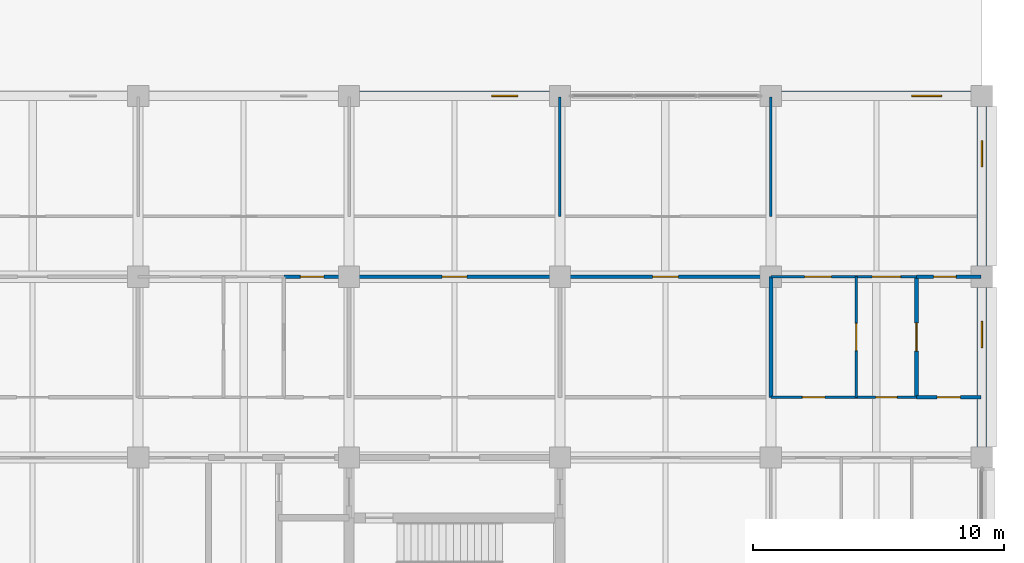
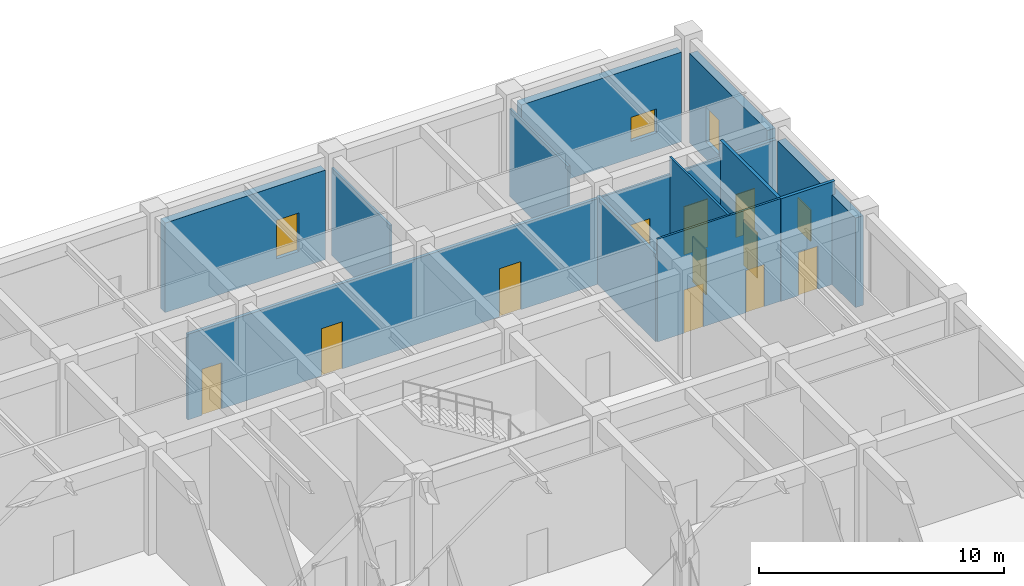
# One storey, part 59 of 73: 14 walls, 11 doors, 4 windows, 15 openings.
"""IFC4 building model written with IfcOpenShell, lengths in metres."""

from ifc_helpers import new_model, si_unit, direction, frame, frame_2d, origin, place, context, subcontext, project, spatial, rectangle, extrude, material, layer, layer_set, type_object, element, fill, save


model = new_model("IFC4")

# Units and contexts
model_context = context("Model", 3, precision=1e-05, world=origin(), true_north=direction((0.0, 1.0)))
body_context = subcontext(model_context, "Body", "Model", "MODEL_VIEW")
ifc_project = project(units=[si_unit("LENGTHUNIT", "METRE"), si_unit("AREAUNIT", "SQUARE_METRE"), si_unit("VOLUMEUNIT", "CUBIC_METRE"), si_unit("PLANEANGLEUNIT", "RADIAN"), si_unit("MASSUNIT", "GRAM", prefix="KILO")], contexts=[model_context])

# Site, building, storey
site_placement = place(None, origin())
site = spatial("IfcSite", under=ifc_project, at=site_placement, CompositionType="ELEMENT")
building_placement = place(site_placement, origin())
building = spatial("IfcBuilding", under=site, at=building_placement, Name="Chengyuan Square Courthouse", CompositionType="ELEMENT")
storey_placement = place(building_placement, origin())
storey = spatial("IfcBuildingStorey", under=building, at=storey_placement, Name="L01", CompositionType="ELEMENT", Elevation=0.0)

# Wall, opening, window
ifc_material_1 = material(Name="Concrete C40", Category="concrete")
ifc_layer_1 = layer(ifc_material_1, 0.3798828125)
ifc_layer_set_1 = layer_set([ifc_layer_1], Name="Concrete C40")
wall_type_1 = type_object("IfcWallType", Name="WL-EW1", PredefinedType="STANDARD", material=ifc_layer_set_1)
wall_1_placement = place(storey_placement, frame((143.219970703125, 108.0, 0.0), z_axis=(0.0, 0.0, 1.0), x_axis=(1.0, 0.0, 0.0)))
wall_1 = element("IfcWall", 1, at=wall_1_placement, inside=storey, type_object=wall_type_1, Name="Exterior Wall WL-L01-E189", PredefinedType="STANDARD", context=body_context, shape_type="SweptSolid", body=[
    extrude(rectangle(XDim=7.56005859375, YDim=0.3798828125, at=frame_2d((3.780029296875, 0.0))), origin(), (0.0, 0.0, 1.0), 4.469970703125),
])
opening_1_placement = place(wall_1_placement, frame((5.2548828125, 0.0, 0.85009765625)))
opening_1 = element("IfcOpeningElement", 2, at=opening_1_placement, cuts=wall_1, Name="Opening WN-010", PredefinedType="OPENING", context=body_context, shape_type="SweptSolid", body=[
    extrude(rectangle(XDim=1.050048828125, YDim=1.919921875, at=frame_2d((0.52490234375, 0.9599609375))), frame((0.0, 0.201904296875, 0.0), z_axis=(0.0, -1.0, 0.0), x_axis=(1.0, 0.0, 0.0)), (0.0, 0.0, 1.0), 0.40380859375),
])
ifc_material_2 = material(Name="Thermally Broken Aluminium Triple Low-E Window", Category="aluminium")
window_type_1 = type_object("IfcWindowType", Name="WT-11", PartitioningType="SINGLE_PANEL", PredefinedType="WINDOW", material=ifc_material_2)
window_1_placement = place(opening_1_placement, origin())
window_1 = element("IfcWindow", 3, at=window_1_placement, inside=storey, type_object=window_type_1, Name="Facade Window WN-010", OverallHeight=1.919921875, OverallWidth=1.050048828125, PartitioningType="SINGLE_PANEL", PredefinedType="WINDOW", context=body_context, shape_type="SweptSolid", body=[
    extrude(rectangle(XDim=1.050048828125, YDim=1.919921875, at=frame_2d((0.52490234375, 0.9599609375))), frame((0.0, 0.030029296875, 0.0), z_axis=(0.0, -1.0, 0.0), x_axis=(1.0, 0.0, 0.0)), (0.0, 0.0, 1.0), 0.06005859375),
])
fill(opening_1, window_1)

wall_2_placement = place(storey_placement, frame((168.0, 94.02001953125, 0.0), z_axis=(0.0, 0.0, 1.0), x_axis=(0.0, 1.0, 0.0)))
wall_2 = element("IfcWall", 4, at=wall_2_placement, inside=storey, type_object=wall_type_1, Name="Exterior Wall WL-L01-E202", PredefinedType="STANDARD", context=body_context, shape_type="SweptSolid", body=[
    extrude(rectangle(XDim=6.35986328125, YDim=0.3798828125, at=frame_2d((3.179931640625, 0.0))), origin(), (0.0, 0.0, 1.0), 4.469970703125),
])
opening_2_placement = place(wall_2_placement, frame((3.955078125, 0.0, 0.85009765625)))
opening_2 = element("IfcOpeningElement", 5, at=opening_2_placement, cuts=wall_2, Name="Opening WN-016", PredefinedType="OPENING", context=body_context, shape_type="SweptSolid", body=[
    extrude(rectangle(XDim=1.050048828125, YDim=1.56005859375, at=frame_2d((0.52490234375, 0.780029296875))), frame((0.0, 0.201904296875, 0.0), z_axis=(0.0, -1.0, 0.0), x_axis=(1.0, 0.0, 0.0)), (0.0, 0.0, 1.0), 0.40380859375),
])
window_type_2 = type_object("IfcWindowType", Name="WT-09", PartitioningType="SINGLE_PANEL", PredefinedType="WINDOW", material=ifc_material_2)
window_2_placement = place(opening_2_placement, origin())
window_2 = element("IfcWindow", 6, at=window_2_placement, inside=storey, type_object=window_type_2, Name="Facade Window WN-016", OverallHeight=1.56005859375, OverallWidth=1.050048828125, PartitioningType="SINGLE_PANEL", PredefinedType="WINDOW", context=body_context, shape_type="SweptSolid", body=[
    extrude(rectangle(XDim=1.050048828125, YDim=1.56005859375, at=frame_2d((0.52490234375, 0.780029296875))), frame((0.0, 0.030029296875, 0.0), z_axis=(0.0, -1.0, 0.0), x_axis=(1.0, 0.0, 0.0)), (0.0, 0.0, 1.0), 0.06005859375),
])
fill(opening_2, window_2)

wall_3_placement = place(storey_placement, frame((160.02001953125, 108.0, 0.0), z_axis=(0.0, 0.0, 1.0), x_axis=(1.0, 0.0, 0.0)))
wall_3 = element("IfcWall", 7, at=wall_3_placement, inside=storey, type_object=wall_type_1, Name="Exterior Wall WL-L01-E203", PredefinedType="STANDARD", context=body_context, shape_type="SweptSolid", body=[
    extrude(rectangle(XDim=7.56005859375, YDim=0.3798828125, at=frame_2d((3.780029296875, 0.0))), origin(), (0.0, 0.0, 1.0), 4.469970703125),
])
opening_3_placement = place(wall_3_placement, frame((5.179931640625, 0.0, 0.85009765625)))
opening_3 = element("IfcOpeningElement", 8, at=opening_3_placement, cuts=wall_3, Name="Opening WN-017", PredefinedType="OPENING", context=body_context, shape_type="SweptSolid", body=[
    extrude(rectangle(XDim=1.199951171875, YDim=1.199951171875, at=frame_2d((0.60009765625, 0.60009765625))), frame((0.0, 0.201904296875, 0.0), z_axis=(0.0, -1.0, 0.0), x_axis=(1.0, 0.0, 0.0)), (0.0, 0.0, 1.0), 0.40380859375),
])
window_type_3 = type_object("IfcWindowType", Name="WT-13", PartitioningType="SINGLE_PANEL", PredefinedType="WINDOW", material=ifc_material_2)
window_3_placement = place(opening_3_placement, origin())
window_3 = element("IfcWindow", 9, at=window_3_placement, inside=storey, type_object=window_type_3, Name="Facade Window WN-017", OverallHeight=1.199951171875, OverallWidth=1.199951171875, PartitioningType="SINGLE_PANEL", PredefinedType="WINDOW", context=body_context, shape_type="SweptSolid", body=[
    extrude(rectangle(XDim=1.199951171875, YDim=1.199951171875, at=frame_2d((0.60009765625, 0.60009765625))), frame((0.0, 0.030029296875, 0.0), z_axis=(0.0, -1.0, 0.0), x_axis=(1.0, 0.0, 0.0)), (0.0, 0.0, 1.0), 0.06005859375),
])
fill(opening_3, window_3)

wall_4_placement = place(storey_placement, frame((168.0, 101.219970703125, 0.0), z_axis=(0.0, 0.0, 1.0), x_axis=(0.0, 1.0, 0.0)))
wall_4 = element("IfcWall", 10, at=wall_4_placement, inside=storey, type_object=wall_type_1, Name="Exterior Wall WL-L01-E204", PredefinedType="STANDARD", context=body_context, shape_type="SweptSolid", body=[
    extrude(rectangle(XDim=6.360107421875, YDim=0.3798828125, at=frame_2d((3.18017578125, 0.0))), origin(), (0.0, 0.0, 1.0), 4.469970703125),
])
opening_4_placement = place(wall_4_placement, frame((3.955078125, 0.0, 0.85009765625)))
opening_4 = element("IfcOpeningElement", 11, at=opening_4_placement, cuts=wall_4, Name="Opening WN-018", PredefinedType="OPENING", context=body_context, shape_type="SweptSolid", body=[
    extrude(rectangle(XDim=1.050048828125, YDim=1.739990234375, at=frame_2d((0.52490234375, 0.8701171875))), frame((0.0, 0.201904296875, 0.0), z_axis=(0.0, -1.0, 0.0), x_axis=(1.0, 0.0, 0.0)), (0.0, 0.0, 1.0), 0.40380859375),
])
window_type_4 = type_object("IfcWindowType", Name="WT-10", PartitioningType="SINGLE_PANEL", PredefinedType="WINDOW", material=ifc_material_2)
window_4_placement = place(opening_4_placement, origin())
window_4 = element("IfcWindow", 12, at=window_4_placement, inside=storey, type_object=window_type_4, Name="Facade Window WN-018", OverallHeight=1.739990234375, OverallWidth=1.050048828125, PartitioningType="SINGLE_PANEL", PredefinedType="WINDOW", context=body_context, shape_type="SweptSolid", body=[
    extrude(rectangle(XDim=1.050048828125, YDim=1.739990234375, at=frame_2d((0.52490234375, 0.8701171875))), frame((0.0, 0.030029296875, 0.0), z_axis=(0.0, -1.0, 0.0), x_axis=(1.0, 0.0, 0.0)), (0.0, 0.0, 1.0), 0.06005859375),
])
fill(opening_4, window_4)

# Wall, opening, door
ifc_material_3 = material(Name="Deliberation Room Sound-Insulated Partition")
ifc_layer_2 = layer(ifc_material_3, 0.14990234375)
ifc_layer_set_2 = layer_set([ifc_layer_2], Name="Deliberation Room Sound-Insulated Partition")
wall_type_2 = type_object("IfcWallType", Name="WL-PT3", PredefinedType="STANDARD", material=ifc_layer_set_2)
wall_5_placement = place(storey_placement, frame((165.39990234375, 96.0, 0.0), z_axis=(0.0, 0.0, 1.0), x_axis=(1.0, 0.0, 0.0)))
wall_5 = element("IfcWall", 13, at=wall_5_placement, inside=storey, type_object=wall_type_2, Name="Interior Wall WL-L01-I748", PredefinedType="STANDARD", context=body_context, shape_type="SweptSolid", body=[
    extrude(rectangle(XDim=2.56005859375, YDim=0.14990234375, at=frame_2d((1.280029296875, 0.0))), origin(), (0.0, 0.0, 1.0), 5.1201171875),
])
opening_5_placement = place(wall_5_placement, frame((0.820068359375, 0.0, 0.0)))
opening_5 = element("IfcOpeningElement", 14, at=opening_5_placement, cuts=wall_5, Name="Opening DR-834", PredefinedType="OPENING", context=body_context, shape_type="SweptSolid", body=[
    extrude(rectangle(XDim=0.919921875, YDim=2.14990234375, at=frame_2d((0.4599609375, 1.074951171875))), frame((0.0, 0.0869140625, 0.0), z_axis=(0.0, -1.0, 0.0), x_axis=(1.0, 0.0, 0.0)), (0.0, 0.0, 1.0), 0.173828125),
])
ifc_material_4 = material(Name="Acoustic Solid-Core Timber Door", Category="wood")
door_type_1 = type_object("IfcDoorType", Name="DT-29", OperationType="NOTDEFINED", PredefinedType="DOOR", material=ifc_material_4)
door_1_placement = place(opening_5_placement, origin())
door_1 = element("IfcDoor", 15, at=door_1_placement, inside=storey, type_object=door_type_1, Name="Interior Door DR-834", OperationType="SINGLE_SWING_LEFT", OverallHeight=2.14990234375, OverallWidth=0.919921875, PredefinedType="DOOR", context=body_context, shape_type="SweptSolid", body=[
    extrude(rectangle(XDim=0.919921875, YDim=2.14990234375, at=frame_2d((0.4599609375, 1.074951171875))), frame((0.0, 0.02490234375, 0.0), z_axis=(0.0, -1.0, 0.0), x_axis=(1.0, 0.0, 0.0)), (0.0, 0.0, 1.0), 0.050048828125),
])
fill(opening_5, door_1)

# Wall, openings, doors
wall_6_placement = place(storey_placement, frame((140.199951171875, 100.800048828125, 0.0), z_axis=(0.0, 0.0, 1.0), x_axis=(1.0, 0.0, 0.0)))
wall_6 = element("IfcWall", 16, at=wall_6_placement, inside=storey, type_object=wall_type_2, Name="Interior Wall WL-L01-I767", PredefinedType="STANDARD", context=body_context, shape_type="SweptSolid", body=[
    extrude(rectangle(XDim=19.400146484375, YDim=0.14990234375, at=frame_2d((9.7001953125, 0.0))), origin(), (0.0, 0.0, 1.0), 4.27001953125),
])
opening_6_placement = place(wall_6_placement, frame((0.657470703125, 0.0, 0.0)))
opening_6 = element("IfcOpeningElement", 17, at=opening_6_placement, cuts=wall_6, Name="Opening DR-776", PredefinedType="OPENING", context=body_context, shape_type="SweptSolid", body=[
    extrude(rectangle(XDim=0.93994140625, YDim=2.300048828125, at=frame_2d((0.469970703125, 1.14990234375))), frame((0.0, 0.0869140625, 0.0), z_axis=(0.0, -1.0, 0.0), x_axis=(1.0, 0.0, 0.0)), (0.0, 0.0, 1.0), 0.173828125),
])
opening_7_placement = place(wall_6_placement, frame((6.31005859375, 0.0, 0.0)))
opening_7 = element("IfcOpeningElement", 18, at=opening_7_placement, cuts=wall_6, Name="Opening DR-777", PredefinedType="OPENING", context=body_context, shape_type="SweptSolid", body=[
    extrude(rectangle(XDim=0.97998046875, YDim=2.35009765625, at=frame_2d((0.489990234375, 1.175048828125))), frame((0.0, 0.0869140625, 0.0), z_axis=(0.0, -1.0, 0.0), x_axis=(1.0, 0.0, 0.0)), (0.0, 0.0, 1.0), 0.173828125),
])
opening_8_placement = place(wall_6_placement, frame((14.68994140625, 0.0, 0.0)))
opening_8 = element("IfcOpeningElement", 19, at=opening_8_placement, cuts=wall_6, Name="Opening DR-778", PredefinedType="OPENING", context=body_context, shape_type="SweptSolid", body=[
    extrude(rectangle(XDim=1.02001953125, YDim=2.39990234375, at=frame_2d((0.510009765625, 1.199951171875))), frame((0.0, 0.0869140625, 0.0), z_axis=(0.0, -1.0, 0.0), x_axis=(1.0, 0.0, 0.0)), (0.0, 0.0, 1.0), 0.173828125),
])
door_type_2 = type_object("IfcDoorType", Name="DT-39", OperationType="NOTDEFINED", PredefinedType="DOOR", material=ifc_material_4)
door_2_placement = place(opening_6_placement, origin())
door_2 = element("IfcDoor", 20, at=door_2_placement, inside=storey, type_object=door_type_2, Name="Interior Door DR-776", OperationType="SINGLE_SWING_RIGHT", OverallHeight=2.300048828125, OverallWidth=0.93994140625, PredefinedType="DOOR", context=body_context, shape_type="SweptSolid", body=[
    extrude(rectangle(XDim=0.93994140625, YDim=2.300048828125, at=frame_2d((0.469970703125, 1.14990234375))), frame((0.0, 0.02490234375, 0.0), z_axis=(0.0, -1.0, 0.0), x_axis=(1.0, 0.0, 0.0)), (0.0, 0.0, 1.0), 0.050048828125),
])
fill(opening_6, door_2)
door_type_3 = type_object("IfcDoorType", Name="DT-40", OperationType="NOTDEFINED", PredefinedType="DOOR", material=ifc_material_4)
door_3_placement = place(opening_7_placement, origin())
door_3 = element("IfcDoor", 21, at=door_3_placement, inside=storey, type_object=door_type_3, Name="Interior Door DR-777", OperationType="SINGLE_SWING_LEFT", OverallHeight=2.35009765625, OverallWidth=0.97998046875, PredefinedType="DOOR", context=body_context, shape_type="SweptSolid", body=[
    extrude(rectangle(XDim=0.97998046875, YDim=2.35009765625, at=frame_2d((0.489990234375, 1.175048828125))), frame((0.0, 0.02490234375, 0.0), z_axis=(0.0, -1.0, 0.0), x_axis=(1.0, 0.0, 0.0)), (0.0, 0.0, 1.0), 0.050048828125),
])
fill(opening_7, door_3)
door_type_4 = type_object("IfcDoorType", Name="DT-41", OperationType="NOTDEFINED", PredefinedType="DOOR", material=ifc_material_4)
door_4_placement = place(opening_8_placement, origin())
door_4 = element("IfcDoor", 22, at=door_4_placement, inside=storey, type_object=door_type_4, Name="Interior Door DR-778", OperationType="SINGLE_SWING_RIGHT", OverallHeight=2.39990234375, OverallWidth=1.02001953125, PredefinedType="DOOR", context=body_context, shape_type="SweptSolid", body=[
    extrude(rectangle(XDim=1.02001953125, YDim=2.39990234375, at=frame_2d((0.510009765625, 1.199951171875))), frame((0.0, 0.02490234375, 0.0), z_axis=(0.0, -1.0, 0.0), x_axis=(1.0, 0.0, 0.0)), (0.0, 0.0, 1.0), 0.050048828125),
])
fill(opening_8, door_4)

# Wall, opening, door
wall_7_placement = place(storey_placement, frame((165.39990234375, 100.800048828125, 0.0), z_axis=(0.0, 0.0, 1.0), x_axis=(1.0, 0.0, 0.0)))
wall_7 = element("IfcWall", 23, at=wall_7_placement, inside=storey, type_object=wall_type_2, Name="Interior Wall WL-L01-I769", PredefinedType="STANDARD", context=body_context, shape_type="SweptSolid", body=[
    extrude(rectangle(XDim=2.56005859375, YDim=0.14990234375, at=frame_2d((1.280029296875, 0.0))), origin(), (0.0, 0.0, 1.0), 4.27001953125),
])
opening_9_placement = place(wall_7_placement, frame((0.677490234375, 0.0, 0.0)))
opening_9 = element("IfcOpeningElement", 24, at=opening_9_placement, cuts=wall_7, Name="Opening DR-781", PredefinedType="OPENING", context=body_context, shape_type="SweptSolid", body=[
    extrude(rectangle(XDim=0.89990234375, YDim=2.14990234375, at=frame_2d((0.449951171875, 1.074951171875))), frame((0.0, 0.0869140625, 0.0), z_axis=(0.0, -1.0, 0.0), x_axis=(1.0, 0.0, 0.0)), (0.0, 0.0, 1.0), 0.173828125),
])
door_type_5 = type_object("IfcDoorType", Name="DT-27", OperationType="NOTDEFINED", PredefinedType="DOOR", material=ifc_material_4)
door_5_placement = place(opening_9_placement, origin())
door_5 = element("IfcDoor", 25, at=door_5_placement, inside=storey, type_object=door_type_5, Name="Interior Door DR-781", OperationType="SINGLE_SWING_LEFT", OverallHeight=2.14990234375, OverallWidth=0.89990234375, PredefinedType="DOOR", context=body_context, shape_type="SweptSolid", body=[
    extrude(rectangle(XDim=0.89990234375, YDim=2.14990234375, at=frame_2d((0.449951171875, 1.074951171875))), frame((0.0, 0.02490234375, 0.0), z_axis=(0.0, -1.0, 0.0), x_axis=(1.0, 0.0, 0.0)), (0.0, 0.0, 1.0), 0.050048828125),
])
fill(opening_9, door_5)

# Wall
wall_8_placement = place(storey_placement, frame((159.60009765625, 96.0, 0.0), z_axis=(0.0, 0.0, 1.0), x_axis=(0.0, 1.0, 0.0)))
element("IfcWall", 26, at=wall_8_placement, inside=storey, type_object=wall_type_2, Name="Interior Wall WL-L01-I1005", PredefinedType="STANDARD", context=body_context, shape_type="SweptSolid", body=[
    extrude(rectangle(XDim=4.800048828125, YDim=0.14990234375, at=frame_2d((2.39990234375, 0.0))), origin(), (0.0, 0.0, 1.0), 4.3701171875),
])

# Wall, opening, door
wall_9_placement = place(storey_placement, frame((165.39990234375, 96.0, 0.0), z_axis=(0.0, 0.0, 1.0), x_axis=(0.0, 1.0, 0.0)))
wall_9 = element("IfcWall", 27, at=wall_9_placement, inside=storey, type_object=wall_type_2, Name="Interior Wall WL-L01-I1011", PredefinedType="STANDARD", context=body_context, shape_type="SweptSolid", body=[
    extrude(rectangle(XDim=4.800048828125, YDim=0.14990234375, at=frame_2d((2.39990234375, 0.0))), origin(), (0.0, 0.0, 1.0), 5.1201171875),
])
opening_10_placement = place(wall_9_placement, frame((1.840087890625, 0.0, 0.0)))
opening_10 = element("IfcOpeningElement", 28, at=opening_10_placement, cuts=wall_9, Name="Opening DR-856", PredefinedType="OPENING", context=body_context, shape_type="SweptSolid", body=[
    extrude(rectangle(XDim=1.1201171875, YDim=2.25, at=frame_2d((0.56005859375, 1.125))), frame((0.0, 0.0869140625, 0.0), z_axis=(0.0, -1.0, 0.0), x_axis=(1.0, 0.0, 0.0)), (0.0, 0.0, 1.0), 0.173828125),
])
door_type_6 = type_object("IfcDoorType", Name="DT-34", OperationType="NOTDEFINED", PredefinedType="DOOR", material=ifc_material_4)
door_6_placement = place(opening_10_placement, origin())
door_6 = element("IfcDoor", 29, at=door_6_placement, inside=storey, type_object=door_type_6, Name="Interior Door DR-856", OperationType="SINGLE_SWING_LEFT", OverallHeight=2.25, OverallWidth=1.1201171875, PredefinedType="DOOR", context=body_context, shape_type="SweptSolid", body=[
    extrude(rectangle(XDim=1.1201171875, YDim=2.25, at=frame_2d((0.56005859375, 1.125))), frame((0.0, 0.02490234375, 0.0), z_axis=(0.0, -1.0, 0.0), x_axis=(1.0, 0.0, 0.0)), (0.0, 0.0, 1.0), 0.050048828125),
])
fill(opening_10, door_6)

# Wall, openings, doors
ifc_material_5 = material(Name="Gypsum Plasterboard Acoustic Stud Partition")
ifc_layer_3 = layer(ifc_material_5, 0.10009765625)
ifc_layer_set_3 = layer_set([ifc_layer_3], Name="Gypsum Plasterboard Acoustic Stud Partition")
wall_type_3 = type_object("IfcWallType", Name="WL-PT6", PredefinedType="STANDARD", material=ifc_layer_set_3)
wall_10_placement = place(storey_placement, frame((159.60009765625, 96.0, 0.0), z_axis=(0.0, 0.0, 1.0), x_axis=(1.0, 0.0, 0.0)))
wall_10 = element("IfcWall", 30, at=wall_10_placement, inside=storey, type_object=wall_type_3, Name="Interior Wall WL-L01-I747", PredefinedType="STANDARD", context=body_context, shape_type="SweptSolid", body=[
    extrude(rectangle(XDim=5.7998046875, YDim=0.10009765625, at=frame_2d((2.89990234375, 0.0))), origin(), (0.0, 0.0, 1.0), 5.1201171875),
])
opening_11_placement = place(wall_10_placement, frame((1.25, 0.0, 0.0)))
opening_11 = element("IfcOpeningElement", 31, at=opening_11_placement, cuts=wall_10, Name="Opening DR-832", PredefinedType="OPENING", context=body_context, shape_type="SweptSolid", body=[
    extrude(rectangle(XDim=0.89990234375, YDim=2.14990234375, at=frame_2d((0.449951171875, 1.074951171875))), frame((0.0, 0.06201171875, 0.0), z_axis=(0.0, -1.0, 0.0), x_axis=(1.0, 0.0, 0.0)), (0.0, 0.0, 1.0), 0.1240234375),
])
opening_12_placement = place(wall_10_placement, frame((4.169921875, 0.0, 0.0)))
opening_12 = element("IfcOpeningElement", 32, at=opening_12_placement, cuts=wall_10, Name="Opening DR-833", PredefinedType="OPENING", context=body_context, shape_type="SweptSolid", body=[
    extrude(rectangle(XDim=0.860107421875, YDim=2.10009765625, at=frame_2d((0.43017578125, 1.050048828125))), frame((0.0, 0.06201171875, 0.0), z_axis=(0.0, -1.0, 0.0), x_axis=(1.0, 0.0, 0.0)), (0.0, 0.0, 1.0), 0.1240234375),
])
door_7_placement = place(opening_11_placement, origin())
door_7 = element("IfcDoor", 33, at=door_7_placement, inside=storey, type_object=door_type_5, Name="Interior Door DR-832", OperationType="SINGLE_SWING_LEFT", OverallHeight=2.14990234375, OverallWidth=0.89990234375, PredefinedType="DOOR", context=body_context, shape_type="SweptSolid", body=[
    extrude(rectangle(XDim=0.89990234375, YDim=2.14990234375, at=frame_2d((0.449951171875, 1.074951171875))), frame((0.0, 0.02490234375, 0.0), z_axis=(0.0, -1.0, 0.0), x_axis=(1.0, 0.0, 0.0)), (0.0, 0.0, 1.0), 0.050048828125),
])
fill(opening_11, door_7)
door_type_7 = type_object("IfcDoorType", Name="DT-28", OperationType="NOTDEFINED", PredefinedType="DOOR", material=ifc_material_4)
door_8_placement = place(opening_12_placement, origin())
door_8 = element("IfcDoor", 34, at=door_8_placement, inside=storey, type_object=door_type_7, Name="Interior Door DR-833", OperationType="SINGLE_SWING_RIGHT", OverallHeight=2.10009765625, OverallWidth=0.860107421875, PredefinedType="DOOR", context=body_context, shape_type="SweptSolid", body=[
    extrude(rectangle(XDim=0.860107421875, YDim=2.10009765625, at=frame_2d((0.43017578125, 1.050048828125))), frame((0.0, 0.02490234375, 0.0), z_axis=(0.0, -1.0, 0.0), x_axis=(1.0, 0.0, 0.0)), (0.0, 0.0, 1.0), 0.050048828125),
])
fill(opening_12, door_8)

wall_11_placement = place(storey_placement, frame((159.60009765625, 100.800048828125, 0.0), z_axis=(0.0, 0.0, 1.0), x_axis=(1.0, 0.0, 0.0)))
wall_11 = element("IfcWall", 35, at=wall_11_placement, inside=storey, type_object=wall_type_3, Name="Interior Wall WL-L01-I768", PredefinedType="STANDARD", context=body_context, shape_type="SweptSolid", body=[
    extrude(rectangle(XDim=5.7998046875, YDim=0.10009765625, at=frame_2d((2.89990234375, 0.0))), origin(), (0.0, 0.0, 1.0), 4.27001953125),
])
opening_13_placement = place(wall_11_placement, frame((1.342529296875, 0.0, 0.0)))
opening_13 = element("IfcOpeningElement", 36, at=opening_13_placement, cuts=wall_11, Name="Opening DR-779", PredefinedType="OPENING", context=body_context, shape_type="SweptSolid", body=[
    extrude(rectangle(XDim=1.06005859375, YDim=2.39990234375, at=frame_2d((0.530029296875, 1.199951171875))), frame((0.0, 0.06201171875, 0.0), z_axis=(0.0, -1.0, 0.0), x_axis=(1.0, 0.0, 0.0)), (0.0, 0.0, 1.0), 0.1240234375),
])
opening_14_placement = place(wall_11_placement, frame((4.030029296875, 0.0, 0.0)))
opening_14 = element("IfcOpeningElement", 37, at=opening_14_placement, cuts=wall_11, Name="Opening DR-780", PredefinedType="OPENING", context=body_context, shape_type="SweptSolid", body=[
    extrude(rectangle(XDim=1.139892578125, YDim=2.39990234375, at=frame_2d((0.56982421875, 1.199951171875))), frame((0.0, 0.06201171875, 0.0), z_axis=(0.0, -1.0, 0.0), x_axis=(1.0, 0.0, 0.0)), (0.0, 0.0, 1.0), 0.1240234375),
])
door_type_8 = type_object("IfcDoorType", Name="DT-42", OperationType="NOTDEFINED", PredefinedType="DOOR", material=ifc_material_4)
door_9_placement = place(opening_13_placement, origin())
door_9 = element("IfcDoor", 38, at=door_9_placement, inside=storey, type_object=door_type_8, Name="Interior Door DR-779", OperationType="SINGLE_SWING_LEFT", OverallHeight=2.39990234375, OverallWidth=1.06005859375, PredefinedType="DOOR", context=body_context, shape_type="SweptSolid", body=[
    extrude(rectangle(XDim=1.06005859375, YDim=2.39990234375, at=frame_2d((0.530029296875, 1.199951171875))), frame((0.0, 0.02490234375, 0.0), z_axis=(0.0, -1.0, 0.0), x_axis=(1.0, 0.0, 0.0)), (0.0, 0.0, 1.0), 0.050048828125),
])
fill(opening_13, door_9)
door_type_9 = type_object("IfcDoorType", Name="DT-43", OperationType="NOTDEFINED", PredefinedType="DOOR", material=ifc_material_4)
door_10_placement = place(opening_14_placement, origin())
door_10 = element("IfcDoor", 39, at=door_10_placement, inside=storey, type_object=door_type_9, Name="Interior Door DR-780", OperationType="SINGLE_SWING_RIGHT", OverallHeight=2.39990234375, OverallWidth=1.139892578125, PredefinedType="DOOR", context=body_context, shape_type="SweptSolid", body=[
    extrude(rectangle(XDim=1.139892578125, YDim=2.39990234375, at=frame_2d((0.56982421875, 1.199951171875))), frame((0.0, 0.02490234375, 0.0), z_axis=(0.0, -1.0, 0.0), x_axis=(1.0, 0.0, 0.0)), (0.0, 0.0, 1.0), 0.050048828125),
])
fill(opening_14, door_10)

# Walls
for number, where, z_axis, x_axis, name in (
    (40, (151.199951171875, 103.199951171875, 0.0), (0.0, 0.0, 1.0), (0.0, 1.0, 0.0), "Interior Wall WL-L01-I992"),
    (41, (159.60009765625, 103.199951171875, 0.0), (0.0, 0.0, 1.0), (0.0, 1.0, 0.0), "Interior Wall WL-L01-I1006"),
):
    element("IfcWall", number, at=place(storey_placement, frame(where, z_axis=z_axis, x_axis=x_axis)), inside=storey, type_object=wall_type_3, Name=name, PredefinedType="STANDARD", context=body_context, shape_type="SweptSolid", body=[
        extrude(rectangle(XDim=4.760009765625, YDim=0.10009765625, at=frame_2d((2.3798828125, 0.0))), origin(), (0.0, 0.0, 1.0), 4.3701171875),
    ])

# Wall, opening, door
wall_12_placement = place(storey_placement, frame((163.0, 96.0, 0.0), z_axis=(0.0, 0.0, 1.0), x_axis=(0.0, 1.0, 0.0)))
wall_12 = element("IfcWall", 42, at=wall_12_placement, inside=storey, type_object=wall_type_3, Name="Interior Wall WL-L01-I1009", PredefinedType="STANDARD", context=body_context, shape_type="SweptSolid", body=[
    extrude(rectangle(XDim=4.800048828125, YDim=0.10009765625, at=frame_2d((2.39990234375, 0.0))), origin(), (0.0, 0.0, 1.0), 5.1201171875),
])
opening_15_placement = place(wall_12_placement, frame((1.860107421875, 0.0, 0.0)))
opening_15 = element("IfcOpeningElement", 43, at=opening_15_placement, cuts=wall_12, Name="Opening DR-855", PredefinedType="OPENING", context=body_context, shape_type="SweptSolid", body=[
    extrude(rectangle(XDim=1.080078125, YDim=2.25, at=frame_2d((0.5400390625, 1.125))), frame((0.0, 0.06201171875, 0.0), z_axis=(0.0, -1.0, 0.0), x_axis=(1.0, 0.0, 0.0)), (0.0, 0.0, 1.0), 0.1240234375),
])
door_type_10 = type_object("IfcDoorType", Name="DT-33", OperationType="NOTDEFINED", PredefinedType="DOOR", material=ifc_material_4)
door_11_placement = place(opening_15_placement, origin())
door_11 = element("IfcDoor", 44, at=door_11_placement, inside=storey, type_object=door_type_10, Name="Interior Door DR-855", OperationType="SINGLE_SWING_RIGHT", OverallHeight=2.25, OverallWidth=1.080078125, PredefinedType="DOOR", context=body_context, shape_type="SweptSolid", body=[
    extrude(rectangle(XDim=1.080078125, YDim=2.25, at=frame_2d((0.5400390625, 1.125))), frame((0.0, 0.02490234375, 0.0), z_axis=(0.0, -1.0, 0.0), x_axis=(1.0, 0.0, 0.0)), (0.0, 0.0, 1.0), 0.050048828125),
])
fill(opening_15, door_11)

save(model, "model.ifc")
